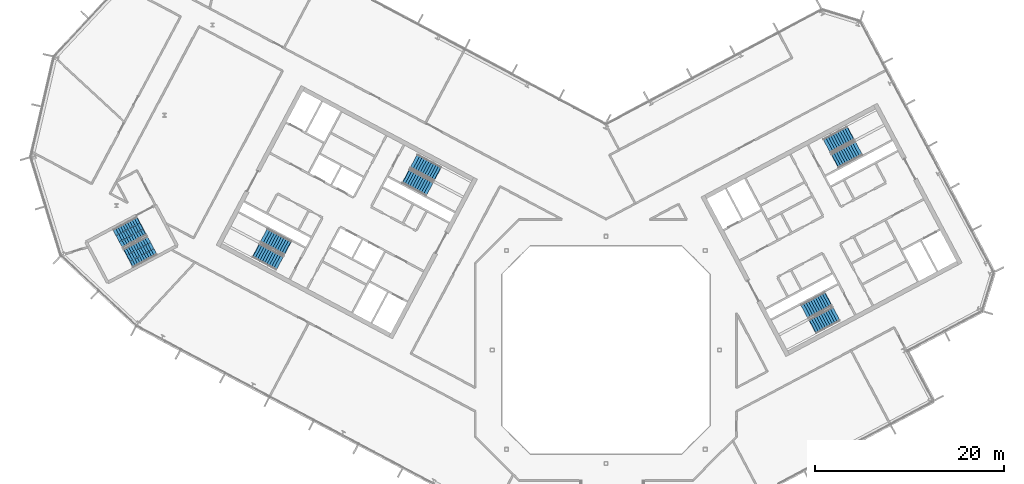
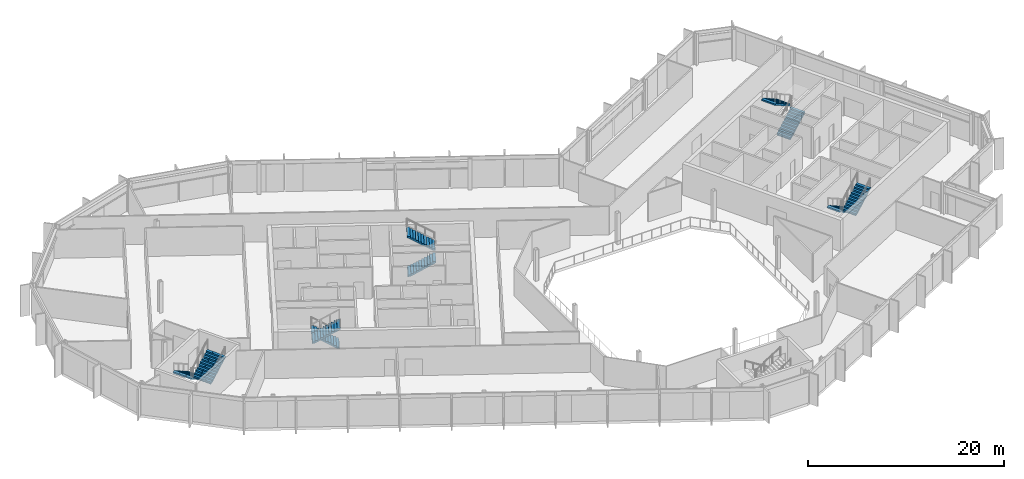
# One storey, part 17 of 25: 10 stair flights, 5 elements without a shape of their own.
"""IFC4 building model written with IfcOpenShell, lengths in metres."""

from ifc_helpers import new_model, si_unit, direction, frame, origin, place, context, subcontext, project, spatial, polyline, outline, extrude, material, type_object, element, aggregate, save


model = new_model("IFC4")

# Units and contexts
model_context = context("Model", 3, precision=1e-05, world=origin(), true_north=direction((0.0, 1.0)))
body_context = subcontext(model_context, "Body", "Model", "MODEL_VIEW")
ifc_project = project(units=[si_unit("LENGTHUNIT", "METRE"), si_unit("AREAUNIT", "SQUARE_METRE"), si_unit("VOLUMEUNIT", "CUBIC_METRE"), si_unit("PLANEANGLEUNIT", "RADIAN"), si_unit("MASSUNIT", "GRAM", prefix="KILO")], contexts=[model_context])

# Site, building, storey
site_placement = place(None, origin())
site = spatial("IfcSite", under=ifc_project, at=site_placement, CompositionType="ELEMENT")
building_placement = place(site_placement, origin())
building = spatial("IfcBuilding", under=site, at=building_placement, Name="Cormorant Relay Tower", CompositionType="ELEMENT")
storey_placement = place(building_placement, frame((0.0, 0.0, 273.60009765625)))
storey = spatial("IfcBuildingStorey", under=building, at=storey_placement, Name="L61", CompositionType="ELEMENT", Elevation=273.60009765625)

# Stair, stair flights
ifc_material_1 = material(Name="Concrete 40 MPa", Category="concrete")
stair_type_1 = type_object("IfcStairType", Name="Exit stair 1500", PredefinedType="HALF_TURN_STAIR", material=ifc_material_1)
stair_1_placement = place(storey_placement, origin())
stair_1 = element("IfcStair", 1, at=stair_1_placement, inside=storey, type_object=stair_type_1, Name="L61 Stair", PredefinedType="HALF_TURN_STAIR")
ifc_material_2 = material(Name="Concrete 40 MPa", Category="concrete")
stair_flight_type_1 = type_object("IfcStairFlightType", Name="Exit stair flight 1650", PredefinedType="STRAIGHT", material=ifc_material_2)
stair_flight_1_placement = place(storey_placement, frame((-21.114501953125, 18.33349609375, 0.0), z_axis=(0.0, 0.0, 1.0), x_axis=(0.882947592859, -0.469471562786, 0.0)))
stair_flight_1 = element("IfcStairFlight", 2, at=stair_flight_1_placement, type_object=stair_flight_type_1, Name="A1 flight 1", NumberOfRisers=11, NumberOfTreads=10, PredefinedType="STRAIGHT", RiserHeight=0.177272727, TreadLength=0.28, context=body_context, shape_type="SweptSolid", body=[
    extrude(outline(polyline([(-0.050048828125, -0.080078125), (-0.050048828125, 0.0), (0.0, 0.0), (0.0, 0.17724609375), (0.280029296875, 0.17724609375), (0.280029296875, 0.3544921875), (0.56005859375, 0.3544921875), (0.56005859375, 0.53173828125), (0.840087890625, 0.53173828125), (0.840087890625, 0.708984375), (1.1201171875, 0.708984375), (1.1201171875, 0.886474609375), (1.39990234375, 0.886474609375), (1.39990234375, 1.063720703125), (1.679931640625, 1.063720703125), (1.679931640625, 1.240966796875), (1.9599609375, 1.240966796875), (1.9599609375, 1.418212890625), (2.239990234375, 1.418212890625), (2.239990234375, 1.595458984375), (2.52001953125, 1.595458984375), (2.52001953125, 1.772705078125), (2.800048828125, 1.772705078125), (2.85009765625, 1.772705078125), (2.85009765625, 1.59521484375), (2.800048828125, 1.59521484375), (0.2802734375, 0.0), (-0.050048828125, -0.080078125)])), frame((0.0, 0.824951171875, 0.0), z_axis=(0.0, -1.0, 0.0), x_axis=(1.0, 0.0, 0.0)), (0.0, 0.0, 1.0), 1.64990234375),
])
stair_flight_2_placement = place(storey_placement, frame((-17.797119140625, 18.6083984375, 1.949951171875), z_axis=(0.0, 0.0, 1.0), x_axis=(-0.882947592859, 0.469471562786, 0.0)))
stair_flight_2 = element("IfcStairFlight", 3, at=stair_flight_2_placement, type_object=stair_flight_type_1, Name="A1 flight 2", NumberOfRisers=11, NumberOfTreads=10, PredefinedType="STRAIGHT", RiserHeight=0.177272727, TreadLength=0.28, context=body_context, shape_type="SweptSolid", body=[
    extrude(outline(polyline([(-0.050048828125, -0.080078125), (-0.050048828125, 0.0), (0.0, 0.0), (0.0, 0.17724609375), (0.280029296875, 0.17724609375), (0.280029296875, 0.3544921875), (0.56005859375, 0.3544921875), (0.56005859375, 0.53173828125), (0.840087890625, 0.53173828125), (0.840087890625, 0.708984375), (1.1201171875, 0.708984375), (1.1201171875, 0.886474609375), (1.39990234375, 0.886474609375), (1.39990234375, 1.063720703125), (1.679931640625, 1.063720703125), (1.679931640625, 1.240966796875), (1.9599609375, 1.240966796875), (1.9599609375, 1.418212890625), (2.239990234375, 1.418212890625), (2.239990234375, 1.595458984375), (2.52001953125, 1.595458984375), (2.52001953125, 1.772705078125), (2.800048828125, 1.772705078125), (2.85009765625, 1.772705078125), (2.85009765625, 1.59521484375), (2.800048828125, 1.59521484375), (0.2802734375, 0.0), (-0.050048828125, -0.080078125)])), frame((0.0, 0.824951171875, 0.0), z_axis=(0.0, -1.0, 0.0), x_axis=(1.0, 0.0, 0.0)), (0.0, 0.0, 1.0), 1.64990234375),
])
aggregate(stair_1, [stair_flight_1, stair_flight_2])

stair_2_placement = place(storey_placement, origin())
stair_2 = element("IfcStair", 4, at=stair_2_placement, inside=storey, type_object=stair_type_1, Name="L61 Stair", PredefinedType="HALF_TURN_STAIR")
stair_flight_3_placement = place(storey_placement, frame((-33.62841796875, 10.773681640625, 0.0), z_axis=(0.0, 0.0, 1.0), x_axis=(-0.882947592859, 0.469471562786, 0.0)))
stair_flight_3 = element("IfcStairFlight", 5, at=stair_flight_3_placement, type_object=stair_flight_type_1, Name="A2 flight 1", NumberOfRisers=11, NumberOfTreads=10, PredefinedType="STRAIGHT", RiserHeight=0.177272727, TreadLength=0.28, context=body_context, shape_type="SweptSolid", body=[
    extrude(outline(polyline([(-0.050048828125, -0.080078125), (-0.050048828125, 0.0), (0.0, 0.0), (0.0, 0.17724609375), (0.280029296875, 0.17724609375), (0.280029296875, 0.3544921875), (0.56005859375, 0.3544921875), (0.56005859375, 0.53173828125), (0.840087890625, 0.53173828125), (0.840087890625, 0.708984375), (1.1201171875, 0.708984375), (1.1201171875, 0.886474609375), (1.39990234375, 0.886474609375), (1.39990234375, 1.063720703125), (1.679931640625, 1.063720703125), (1.679931640625, 1.240966796875), (1.9599609375, 1.240966796875), (1.9599609375, 1.418212890625), (2.239990234375, 1.418212890625), (2.239990234375, 1.595458984375), (2.52001953125, 1.595458984375), (2.52001953125, 1.772705078125), (2.800048828125, 1.772705078125), (2.85009765625, 1.772705078125), (2.85009765625, 1.59521484375), (2.800048828125, 1.59521484375), (0.2802734375, 0.0), (-0.050048828125, -0.080078125)])), frame((0.0, 0.824951171875, 0.0), z_axis=(0.0, -1.0, 0.0), x_axis=(1.0, 0.0, 0.0)), (0.0, 0.0, 1.0), 1.64990234375),
])
stair_flight_4_placement = place(storey_placement, frame((-36.945556640625, 10.498779296875, 1.949951171875), z_axis=(0.0, 0.0, 1.0), x_axis=(0.882947592859, -0.469471562786, 0.0)))
stair_flight_4 = element("IfcStairFlight", 6, at=stair_flight_4_placement, type_object=stair_flight_type_1, Name="A2 flight 2", NumberOfRisers=11, NumberOfTreads=10, PredefinedType="STRAIGHT", RiserHeight=0.177272727, TreadLength=0.28, context=body_context, shape_type="SweptSolid", body=[
    extrude(outline(polyline([(-0.050048828125, -0.080078125), (-0.050048828125, 0.0), (0.0, 0.0), (0.0, 0.17724609375), (0.280029296875, 0.17724609375), (0.280029296875, 0.3544921875), (0.56005859375, 0.3544921875), (0.56005859375, 0.53173828125), (0.840087890625, 0.53173828125), (0.840087890625, 0.708984375), (1.1201171875, 0.708984375), (1.1201171875, 0.886474609375), (1.39990234375, 0.886474609375), (1.39990234375, 1.063720703125), (1.679931640625, 1.063720703125), (1.679931640625, 1.240966796875), (1.9599609375, 1.240966796875), (1.9599609375, 1.418212890625), (2.239990234375, 1.418212890625), (2.239990234375, 1.595458984375), (2.52001953125, 1.595458984375), (2.52001953125, 1.772705078125), (2.800048828125, 1.772705078125), (2.85009765625, 1.772705078125), (2.85009765625, 1.59521484375), (2.800048828125, 1.59521484375), (0.2802734375, 0.0), (-0.050048828125, -0.080078125)])), frame((0.0, 0.824951171875, 0.0), z_axis=(0.0, -1.0, 0.0), x_axis=(1.0, 0.0, 0.0)), (0.0, 0.0, 1.0), 1.64990234375),
])
aggregate(stair_2, [stair_flight_3, stair_flight_4])

stair_3_placement = place(storey_placement, origin())
stair_3 = element("IfcStair", 7, at=stair_3_placement, inside=storey, type_object=stair_type_1, Name="L61 Stair", PredefinedType="HALF_TURN_STAIR")
stair_flight_5_placement = place(storey_placement, frame((23.474365234375, 5.374755859375, 0.0), z_axis=(0.0, 0.0, 1.0), x_axis=(-0.882947592859, -0.469471562786, 0.0)))
stair_flight_5 = element("IfcStairFlight", 8, at=stair_flight_5_placement, type_object=stair_flight_type_1, Name="B1 flight 1", NumberOfRisers=11, NumberOfTreads=10, PredefinedType="STRAIGHT", RiserHeight=0.177272727, TreadLength=0.28, context=body_context, shape_type="SweptSolid", body=[
    extrude(outline(polyline([(-0.050048828125, -0.080078125), (-0.050048828125, 0.0), (0.0, 0.0), (0.0, 0.17724609375), (0.280029296875, 0.17724609375), (0.280029296875, 0.3544921875), (0.56005859375, 0.3544921875), (0.56005859375, 0.53173828125), (0.840087890625, 0.53173828125), (0.840087890625, 0.708984375), (1.1201171875, 0.708984375), (1.1201171875, 0.886474609375), (1.39990234375, 0.886474609375), (1.39990234375, 1.063720703125), (1.679931640625, 1.063720703125), (1.679931640625, 1.240966796875), (1.9599609375, 1.240966796875), (1.9599609375, 1.418212890625), (2.239990234375, 1.418212890625), (2.239990234375, 1.595458984375), (2.52001953125, 1.595458984375), (2.52001953125, 1.772705078125), (2.800048828125, 1.772705078125), (2.85009765625, 1.772705078125), (2.85009765625, 1.59521484375), (2.800048828125, 1.59521484375), (0.2802734375, 0.0), (-0.050048828125, -0.080078125)])), frame((0.0, 0.824951171875, 0.0), z_axis=(0.0, -1.0, 0.0), x_axis=(1.0, 0.0, 0.0)), (0.0, 0.0, 1.0), 1.64990234375),
])
stair_flight_6_placement = place(storey_placement, frame((21.84716796875, 2.470947265625, 1.949951171875), z_axis=(0.0, 0.0, 1.0), x_axis=(0.882947592859, 0.469471562786, 0.0)))
stair_flight_6 = element("IfcStairFlight", 9, at=stair_flight_6_placement, type_object=stair_flight_type_1, Name="B1 flight 2", NumberOfRisers=11, NumberOfTreads=10, PredefinedType="STRAIGHT", RiserHeight=0.177272727, TreadLength=0.28, context=body_context, shape_type="SweptSolid", body=[
    extrude(outline(polyline([(-0.050048828125, -0.080078125), (-0.050048828125, 0.0), (0.0, 0.0), (0.0, 0.17724609375), (0.280029296875, 0.17724609375), (0.280029296875, 0.3544921875), (0.56005859375, 0.3544921875), (0.56005859375, 0.53173828125), (0.840087890625, 0.53173828125), (0.840087890625, 0.708984375), (1.1201171875, 0.708984375), (1.1201171875, 0.886474609375), (1.39990234375, 0.886474609375), (1.39990234375, 1.063720703125), (1.679931640625, 1.063720703125), (1.679931640625, 1.240966796875), (1.9599609375, 1.240966796875), (1.9599609375, 1.418212890625), (2.239990234375, 1.418212890625), (2.239990234375, 1.595458984375), (2.52001953125, 1.595458984375), (2.52001953125, 1.772705078125), (2.800048828125, 1.772705078125), (2.85009765625, 1.772705078125), (2.85009765625, 1.59521484375), (2.800048828125, 1.59521484375), (0.2802734375, 0.0), (-0.050048828125, -0.080078125)])), frame((0.0, 0.824951171875, 0.0), z_axis=(0.0, -1.0, 0.0), x_axis=(1.0, 0.0, 0.0)), (0.0, 0.0, 1.0), 1.64990234375),
])
aggregate(stair_3, [stair_flight_5, stair_flight_6])

stair_4_placement = place(storey_placement, origin())
stair_4 = element("IfcStair", 10, at=stair_4_placement, inside=storey, type_object=stair_type_1, Name="L61 Stair", PredefinedType="HALF_TURN_STAIR")
stair_flight_7_placement = place(storey_placement, frame((24.20458984375, 19.976806640625, 0.0), z_axis=(0.0, 0.0, 1.0), x_axis=(0.882947592859, 0.469471562786, 0.0)))
stair_flight_7 = element("IfcStairFlight", 11, at=stair_flight_7_placement, type_object=stair_flight_type_1, Name="B2 flight 1", NumberOfRisers=11, NumberOfTreads=10, PredefinedType="STRAIGHT", RiserHeight=0.177272727, TreadLength=0.28, context=body_context, shape_type="SweptSolid", body=[
    extrude(outline(polyline([(-0.050048828125, -0.080078125), (-0.050048828125, 0.0), (0.0, 0.0), (0.0, 0.17724609375), (0.280029296875, 0.17724609375), (0.280029296875, 0.3544921875), (0.56005859375, 0.3544921875), (0.56005859375, 0.53173828125), (0.840087890625, 0.53173828125), (0.840087890625, 0.708984375), (1.1201171875, 0.708984375), (1.1201171875, 0.886474609375), (1.39990234375, 0.886474609375), (1.39990234375, 1.063720703125), (1.679931640625, 1.063720703125), (1.679931640625, 1.240966796875), (1.9599609375, 1.240966796875), (1.9599609375, 1.418212890625), (2.239990234375, 1.418212890625), (2.239990234375, 1.595458984375), (2.52001953125, 1.595458984375), (2.52001953125, 1.772705078125), (2.800048828125, 1.772705078125), (2.85009765625, 1.772705078125), (2.85009765625, 1.59521484375), (2.800048828125, 1.59521484375), (0.2802734375, 0.0), (-0.050048828125, -0.080078125)])), frame((0.0, 0.824951171875, 0.0), z_axis=(0.0, -1.0, 0.0), x_axis=(1.0, 0.0, 0.0)), (0.0, 0.0, 1.0), 1.64990234375),
])
stair_flight_8_placement = place(storey_placement, frame((25.831787109375, 22.880615234375, 1.949951171875), z_axis=(0.0, 0.0, 1.0), x_axis=(-0.882947592859, -0.469471562786, 0.0)))
stair_flight_8 = element("IfcStairFlight", 12, at=stair_flight_8_placement, type_object=stair_flight_type_1, Name="B2 flight 2", NumberOfRisers=11, NumberOfTreads=10, PredefinedType="STRAIGHT", RiserHeight=0.177272727, TreadLength=0.28, context=body_context, shape_type="SweptSolid", body=[
    extrude(outline(polyline([(-0.050048828125, -0.080078125), (-0.050048828125, 0.0), (0.0, 0.0), (0.0, 0.17724609375), (0.280029296875, 0.17724609375), (0.280029296875, 0.3544921875), (0.56005859375, 0.3544921875), (0.56005859375, 0.53173828125), (0.840087890625, 0.53173828125), (0.840087890625, 0.708984375), (1.1201171875, 0.708984375), (1.1201171875, 0.886474609375), (1.39990234375, 0.886474609375), (1.39990234375, 1.063720703125), (1.679931640625, 1.063720703125), (1.679931640625, 1.240966796875), (1.9599609375, 1.240966796875), (1.9599609375, 1.418212890625), (2.239990234375, 1.418212890625), (2.239990234375, 1.595458984375), (2.52001953125, 1.595458984375), (2.52001953125, 1.772705078125), (2.800048828125, 1.772705078125), (2.85009765625, 1.772705078125), (2.85009765625, 1.59521484375), (2.800048828125, 1.59521484375), (0.2802734375, 0.0), (-0.050048828125, -0.080078125)])), frame((0.0, 0.824951171875, 0.0), z_axis=(0.0, -1.0, 0.0), x_axis=(1.0, 0.0, 0.0)), (0.0, 0.0, 1.0), 1.64990234375),
])
aggregate(stair_4, [stair_flight_7, stair_flight_8])

ifc_material_3 = material(Name="Concrete 40 MPa", Category="concrete")
stair_type_2 = type_object("IfcStairType", Name="Remote exit stair 2200", PredefinedType="HALF_TURN_STAIR", material=ifc_material_3)
stair_5_placement = place(storey_placement, origin())
stair_5 = element("IfcStair", 13, at=stair_5_placement, inside=storey, type_object=stair_type_2, Name="L61 Stair", PredefinedType="HALF_TURN_STAIR")
ifc_material_4 = material(Name="Concrete 40 MPa", Category="concrete")
stair_flight_type_2 = type_object("IfcStairFlightType", Name="Remote exit stair flight 2200", PredefinedType="STRAIGHT", material=ifc_material_4)
stair_flight_9_placement = place(storey_placement, frame((-49.062255859375, 13.08251953125, 0.0), z_axis=(0.0, 0.0, 1.0), x_axis=(-0.882947502727, -0.4694717323, 0.0)))
stair_flight_9 = element("IfcStairFlight", 14, at=stair_flight_9_placement, type_object=stair_flight_type_2, Name="RP1 flight 1", NumberOfRisers=11, NumberOfTreads=10, PredefinedType="STRAIGHT", RiserHeight=0.177272727, TreadLength=0.28, context=body_context, shape_type="SweptSolid", body=[
    extrude(outline(polyline([(-0.050048828125, -0.080078125), (-0.050048828125, 0.0), (0.0, 0.0), (0.0, 0.17724609375), (0.280029296875, 0.17724609375), (0.280029296875, 0.3544921875), (0.56005859375, 0.3544921875), (0.56005859375, 0.53173828125), (0.840087890625, 0.53173828125), (0.840087890625, 0.708984375), (1.1201171875, 0.708984375), (1.1201171875, 0.886474609375), (1.39990234375, 0.886474609375), (1.39990234375, 1.063720703125), (1.679931640625, 1.063720703125), (1.679931640625, 1.240966796875), (1.9599609375, 1.240966796875), (1.9599609375, 1.418212890625), (2.239990234375, 1.418212890625), (2.239990234375, 1.595458984375), (2.52001953125, 1.595458984375), (2.52001953125, 1.772705078125), (2.800048828125, 1.772705078125), (2.85009765625, 1.772705078125), (2.85009765625, 1.59521484375), (2.800048828125, 1.59521484375), (0.2802734375, 0.0), (-0.050048828125, -0.080078125)])), frame((0.0, 1.10009765625, 0.0), z_axis=(0.0, -1.0, 0.0), x_axis=(1.0, 0.0, 0.0)), (0.0, 0.0, 1.0), 0.719970703125),
    extrude(outline(polyline([(-0.050048828125, -0.080078125), (-0.050048828125, 0.0), (0.0, 0.0), (0.0, 0.17724609375), (0.280029296875, 0.17724609375), (0.280029296875, 0.3544921875), (0.56005859375, 0.3544921875), (0.56005859375, 0.53173828125), (0.840087890625, 0.53173828125), (0.840087890625, 0.708984375), (1.1201171875, 0.708984375), (1.1201171875, 0.886474609375), (1.39990234375, 0.886474609375), (1.39990234375, 1.063720703125), (1.679931640625, 1.063720703125), (1.679931640625, 1.240966796875), (1.9599609375, 1.240966796875), (1.9599609375, 1.418212890625), (2.239990234375, 1.418212890625), (2.239990234375, 1.595458984375), (2.52001953125, 1.595458984375), (2.52001953125, 1.772705078125), (2.800048828125, 1.772705078125), (2.85009765625, 1.772705078125), (2.85009765625, 1.59521484375), (2.800048828125, 1.59521484375), (0.2802734375, 0.0), (-0.050048828125, -0.080078125)])), frame((0.0, 0.360107421875, 0.0), z_axis=(0.0, -1.0, 0.0), x_axis=(1.0, 0.0, 0.0)), (0.0, 0.0, 1.0), 0.719970703125),
    extrude(outline(polyline([(-0.050048828125, -0.080078125), (-0.050048828125, 0.0), (0.0, 0.0), (0.0, 0.17724609375), (0.280029296875, 0.17724609375), (0.280029296875, 0.3544921875), (0.56005859375, 0.3544921875), (0.56005859375, 0.53173828125), (0.840087890625, 0.53173828125), (0.840087890625, 0.708984375), (1.1201171875, 0.708984375), (1.1201171875, 0.886474609375), (1.39990234375, 0.886474609375), (1.39990234375, 1.063720703125), (1.679931640625, 1.063720703125), (1.679931640625, 1.240966796875), (1.9599609375, 1.240966796875), (1.9599609375, 1.418212890625), (2.239990234375, 1.418212890625), (2.239990234375, 1.595458984375), (2.52001953125, 1.595458984375), (2.52001953125, 1.772705078125), (2.800048828125, 1.772705078125), (2.85009765625, 1.772705078125), (2.85009765625, 1.59521484375), (2.800048828125, 1.59521484375), (0.2802734375, 0.0), (-0.050048828125, -0.080078125)])), frame((0.0, -0.3798828125, 0.0), z_axis=(0.0, -1.0, 0.0), x_axis=(1.0, 0.0, 0.0)), (0.0, 0.0, 1.0), 0.719970703125),
])
stair_flight_10_placement = place(storey_placement, frame((-50.431396484375, 9.693115234375, 1.949951171875), z_axis=(0.0, 0.0, 1.0), x_axis=(0.882947502727, 0.4694717323, 0.0)))
stair_flight_10 = element("IfcStairFlight", 15, at=stair_flight_10_placement, type_object=stair_flight_type_2, Name="RP1 flight 2", NumberOfRisers=11, NumberOfTreads=10, PredefinedType="STRAIGHT", RiserHeight=0.177272727, TreadLength=0.28, context=body_context, shape_type="SweptSolid", body=[
    extrude(outline(polyline([(-0.050048828125, -0.080078125), (-0.050048828125, 0.0), (0.0, 0.0), (0.0, 0.17724609375), (0.280029296875, 0.17724609375), (0.280029296875, 0.3544921875), (0.56005859375, 0.3544921875), (0.56005859375, 0.53173828125), (0.840087890625, 0.53173828125), (0.840087890625, 0.708984375), (1.1201171875, 0.708984375), (1.1201171875, 0.886474609375), (1.39990234375, 0.886474609375), (1.39990234375, 1.063720703125), (1.679931640625, 1.063720703125), (1.679931640625, 1.240966796875), (1.9599609375, 1.240966796875), (1.9599609375, 1.418212890625), (2.239990234375, 1.418212890625), (2.239990234375, 1.595458984375), (2.52001953125, 1.595458984375), (2.52001953125, 1.772705078125), (2.800048828125, 1.772705078125), (2.85009765625, 1.772705078125), (2.85009765625, 1.59521484375), (2.800048828125, 1.59521484375), (0.2802734375, 0.0), (-0.050048828125, -0.080078125)])), frame((0.0, 1.10009765625, 0.0), z_axis=(0.0, -1.0, 0.0), x_axis=(1.0, 0.0, 0.0)), (0.0, 0.0, 1.0), 0.719970703125),
    extrude(outline(polyline([(-0.050048828125, -0.080078125), (-0.050048828125, 0.0), (0.0, 0.0), (0.0, 0.17724609375), (0.280029296875, 0.17724609375), (0.280029296875, 0.3544921875), (0.56005859375, 0.3544921875), (0.56005859375, 0.53173828125), (0.840087890625, 0.53173828125), (0.840087890625, 0.708984375), (1.1201171875, 0.708984375), (1.1201171875, 0.886474609375), (1.39990234375, 0.886474609375), (1.39990234375, 1.063720703125), (1.679931640625, 1.063720703125), (1.679931640625, 1.240966796875), (1.9599609375, 1.240966796875), (1.9599609375, 1.418212890625), (2.239990234375, 1.418212890625), (2.239990234375, 1.595458984375), (2.52001953125, 1.595458984375), (2.52001953125, 1.772705078125), (2.800048828125, 1.772705078125), (2.85009765625, 1.772705078125), (2.85009765625, 1.59521484375), (2.800048828125, 1.59521484375), (0.2802734375, 0.0), (-0.050048828125, -0.080078125)])), frame((0.0, 0.360107421875, 0.0), z_axis=(0.0, -1.0, 0.0), x_axis=(1.0, 0.0, 0.0)), (0.0, 0.0, 1.0), 0.719970703125),
    extrude(outline(polyline([(-0.050048828125, -0.080078125), (-0.050048828125, 0.0), (0.0, 0.0), (0.0, 0.17724609375), (0.280029296875, 0.17724609375), (0.280029296875, 0.3544921875), (0.56005859375, 0.3544921875), (0.56005859375, 0.53173828125), (0.840087890625, 0.53173828125), (0.840087890625, 0.708984375), (1.1201171875, 0.708984375), (1.1201171875, 0.886474609375), (1.39990234375, 0.886474609375), (1.39990234375, 1.063720703125), (1.679931640625, 1.063720703125), (1.679931640625, 1.240966796875), (1.9599609375, 1.240966796875), (1.9599609375, 1.418212890625), (2.239990234375, 1.418212890625), (2.239990234375, 1.595458984375), (2.52001953125, 1.595458984375), (2.52001953125, 1.772705078125), (2.800048828125, 1.772705078125), (2.85009765625, 1.772705078125), (2.85009765625, 1.59521484375), (2.800048828125, 1.59521484375), (0.2802734375, 0.0), (-0.050048828125, -0.080078125)])), frame((0.0, -0.3798828125, 0.0), z_axis=(0.0, -1.0, 0.0), x_axis=(1.0, 0.0, 0.0)), (0.0, 0.0, 1.0), 0.719970703125),
])
aggregate(stair_5, [stair_flight_9, stair_flight_10])

save(model, "model.ifc")
